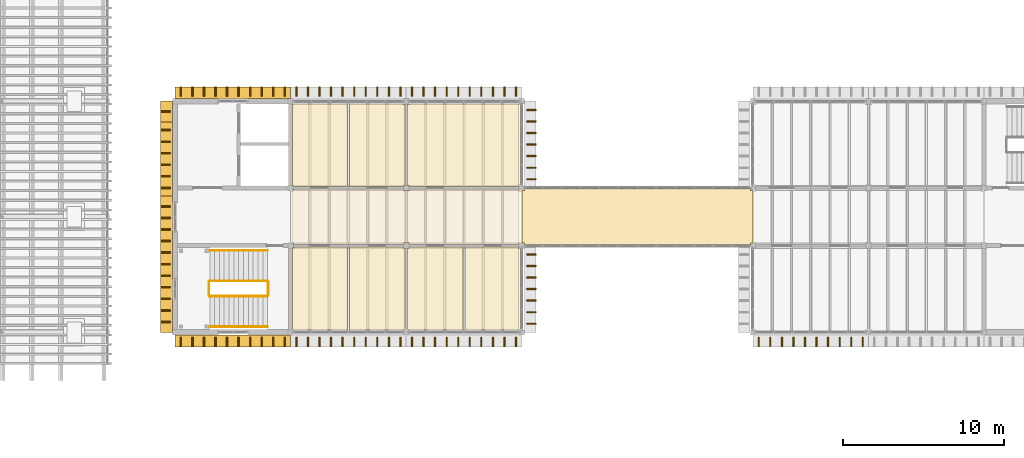
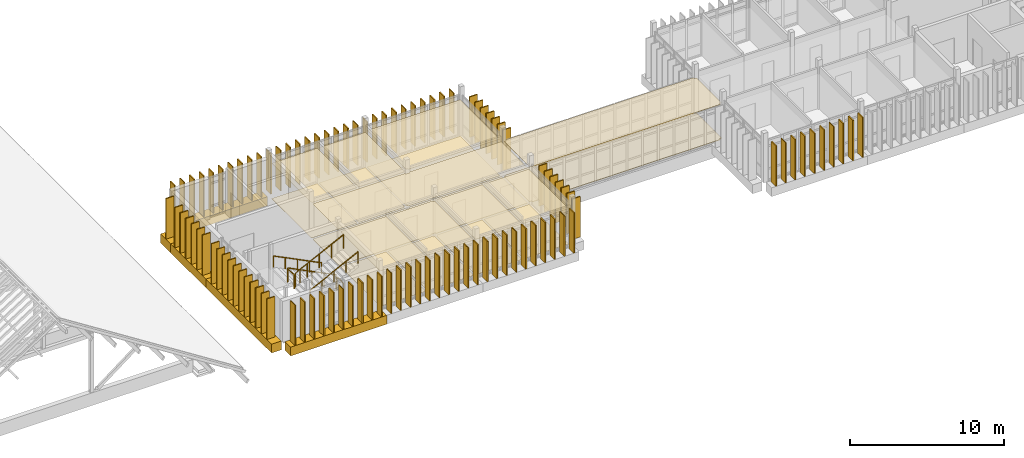
# One storey, part 64 of 71: 125 coverings, 6 railings.
"""IFC4 building model written with IfcOpenShell, lengths in metres."""

import ifcopenshell
import ifcopenshell.guid

model = None  # the IFC model being written
_history = None  # IfcOwnerHistory: only IFC2X3 demands one
_inside = {}  # id of a spatial element -> (the spatial element, [elements in it])
_under = {}  # id of a project, library or spatial element -> (it, [spatial elements below it])
_declared = {}  # id of a project -> (the project, [libraries it declares])
_typed = {}  # id of a type object -> (the type object, [elements of that type])
_made_of = {}  # id of a material, layer set ... -> (it, [elements and type objects made of it])


def new_model(schema):
    """Start an empty IFC model of exactly this schema.

    Asked for "IFC4X3", IfcOpenShell would pick the latest addendum, in which some entities
    have other attributes; the version numbers below select the first issue.
    IFC2X3 requires an IfcOwnerHistory on every rooted entity: one is made here for all.
    """
    global model, _history
    if schema == "IFC4X3":
        model = ifcopenshell.file(schema_version=(4, 3, 0, 0))
    else:
        model = ifcopenshell.file(schema=schema)
    _inside.clear()
    _under.clear()
    _declared.clear()
    _typed.clear()
    _made_of.clear()
    _history = None
    if model.schema == "IFC2X3":
        org = make("IfcOrganization", Name="unknown")
        user = make(
            "IfcPersonAndOrganization",
            ThePerson=make("IfcPerson", FamilyName="unknown"),
            TheOrganization=org,
        )
        app = make(
            "IfcApplication",
            ApplicationDeveloper=org,
            Version="unknown",
            ApplicationFullName="unknown",
            ApplicationIdentifier="unknown",
        )
        _history = make(
            "IfcOwnerHistory",
            OwningUser=user,
            OwningApplication=app,
            ChangeAction="ADDED",
            CreationDate=0,
        )
    return model


def make(cls, **values):
    """One entity of the class cls with the attributes given. An attribute that is None is left unset."""
    return model.create_entity(
        cls, **{name: value for name, value in values.items() if value is not None}
    )


def rooted(cls, **values):
    """An entity with a GlobalId (a new one), such as an element, a storey or a relation."""
    return make(cls, GlobalId=ifcopenshell.guid.new(), OwnerHistory=_history, **values)


def si_unit(unit_type, name, prefix=None):
    """IfcSIUnit, for example si_unit("LENGTHUNIT", "METRE", prefix="MILLI")."""
    return make("IfcSIUnit", UnitType=unit_type, Prefix=prefix, Name=name)


def assignment(units):
    """IfcUnitAssignment: the units of a project."""
    return None if units is None else make("IfcUnitAssignment", Units=units)


def point(xyz):
    """IfcCartesianPoint."""
    return None if xyz is None else make("IfcCartesianPoint", Coordinates=xyz)


def direction(xyz):
    """IfcDirection."""
    return None if xyz is None else make("IfcDirection", DirectionRatios=xyz)


def frame(location, z_axis=None, x_axis=None):
    """IfcAxis2Placement3D, a coordinate frame: its origin and axes. An axis left out is left unset."""
    return make(
        "IfcAxis2Placement3D",
        Location=point(location),
        Axis=direction(z_axis),
        RefDirection=direction(x_axis),
    )


def frame_2d(location, x_axis=None):
    """IfcAxis2Placement2D, a coordinate frame in the plane: its origin and x axis."""
    return make(
        "IfcAxis2Placement2D", Location=point(location), RefDirection=direction(x_axis)
    )


def origin():
    """The frame at (0, 0, 0) with its axes left unset."""
    return frame((0.0, 0.0, 0.0))


def origin_2d():
    """The frame at (0, 0) in the plane with its x axis left unset."""
    return frame_2d((0.0, 0.0))


def place(relative_to, where):
    """IfcLocalPlacement: puts the frame where relative to a parent placement (None: the world)."""
    return make(
        "IfcLocalPlacement", PlacementRelTo=relative_to, RelativePlacement=where
    )


def context(
    kind, dimensions, precision=None, world=None, true_north=None, identifier=None
):
    """IfcGeometricRepresentationContext, for example the 3D "Model" context."""
    return make(
        "IfcGeometricRepresentationContext",
        ContextIdentifier=identifier,
        ContextType=kind,
        CoordinateSpaceDimension=dimensions,
        Precision=precision,
        WorldCoordinateSystem=world,
        TrueNorth=true_north,
    )


def subcontext(parent, identifier, kind, view, scale=None):
    """IfcGeometricRepresentationSubContext, for example "Body" below "Model"."""
    return make(
        "IfcGeometricRepresentationSubContext",
        ContextIdentifier=identifier,
        ContextType=kind,
        ParentContext=parent,
        TargetScale=scale,
        TargetView=view,
    )


def project(units=None, contexts=None):
    """IfcProject with its units and contexts."""
    return rooted(
        "IfcProject",
        Name="project",
        RepresentationContexts=contexts,
        UnitsInContext=assignment(units),
    )


def spatial(cls, under=None, at=None, **own):
    """A site, building, storey or space (cls), placed at a placement, below another one or the project."""
    s = rooted(cls, ObjectPlacement=at, **own)
    if under is not None:
        _under.setdefault(under.id(), (under, []))[1].append(s)
    return s


def polyline(points):
    """IfcPolyline through the points."""
    return make("IfcPolyline", Points=[point(p) for p in points])


def profile(cls, at=None, kind="AREA", **sizes):
    """A parametric profile (cls). Its sizes go by their IFC names, for example OverallWidth=200.0."""
    return make(cls, ProfileType=kind, Position=at, **sizes)


def rectangle(**sizes):
    """IfcRectangleProfileDef."""
    return profile("IfcRectangleProfileDef", **sizes)


def circle(**sizes):
    """IfcCircleProfileDef."""
    return profile("IfcCircleProfileDef", **sizes)


def outline(outer, holes=None, kind="AREA"):
    """IfcArbitraryClosedProfileDef: a profile drawn as a closed curve; with holes, ...WithVoids."""
    if holes is None:
        return make("IfcArbitraryClosedProfileDef", ProfileType=kind, OuterCurve=outer)
    return make(
        "IfcArbitraryProfileDefWithVoids",
        ProfileType=kind,
        OuterCurve=outer,
        InnerCurves=holes,
    )


def extrude(swept, where, along, depth):
    """IfcExtrudedAreaSolid: the profile swept, set in the frame where, extruded along a direction by depth."""
    return make(
        "IfcExtrudedAreaSolid",
        SweptArea=swept,
        Position=where,
        ExtrudedDirection=direction(along),
        Depth=depth,
    )


def shape(context_of_items, identifier, shape_type, items):
    """IfcShapeRepresentation: the items that make up one representation, for example the "Body"."""
    return make(
        "IfcShapeRepresentation",
        ContextOfItems=context_of_items,
        RepresentationIdentifier=identifier,
        RepresentationType=shape_type,
        Items=items,
    )


def material(Name=None, Category=None):
    """IfcMaterial."""
    return make("IfcMaterial", Name=Name, Category=Category)


def layer(
    of_material, thickness, ventilated=None, Name=None, Category=None, Priority=None
):
    """IfcMaterialLayer: one layer of a wall or slab, of a material (None: an air gap)."""
    return make(
        "IfcMaterialLayer",
        Material=of_material,
        LayerThickness=thickness,
        IsVentilated=ventilated,
        Name=Name,
        Category=Category,
        Priority=Priority,
    )


def layer_set(layers, Name=None):
    """IfcMaterialLayerSet."""
    return make("IfcMaterialLayerSet", MaterialLayers=layers, LayerSetName=Name)


def made_of(thing, what):
    """Note that an element or type object is made of a material, layer set ...; save() writes the relation."""
    if what is not None:
        _made_of.setdefault(what.id(), (what, []))[1].append(thing)
    return thing


def type_object(cls, material=None, **own):
    """A type object (cls), such as IfcWallType, which elements share."""
    return made_of(rooted(cls, **own), material)


def element(
    cls,
    number,
    at=None,
    inside=None,
    cuts=None,
    type_object=None,
    material=None,
    context=None,
    identifier="Body",
    shape_type=None,
    held_by="IfcProductDefinitionShape",
    body=None,
    shapes=None,
    **own,
):
    """One element of the class cls, such as IfcWall. Its Tag is "e" and its number.

    at: its placement. inside: the storey or other place that contains it. cuts: it is an
    opening in that element (IfcRelVoidsElement). A single representation is given by context,
    identifier, shape_type and body (its items); several are given by shapes. held_by: the class
    of the entity that holds the representations. save() writes the other relations.
    """
    e = rooted(cls, Tag="e%d" % number, ObjectPlacement=at, **own)
    if body is not None:
        shapes = [shape(context, identifier, shape_type, body)]
    if shapes is not None:
        e.Representation = make(held_by, Representations=shapes)
    if inside is not None:
        _inside.setdefault(inside.id(), (inside, []))[1].append(e)
    if cuts is not None:
        rooted(
            "IfcRelVoidsElement", RelatingBuildingElement=cuts, RelatedOpeningElement=e
        )
    if type_object is not None:
        _typed.setdefault(type_object.id(), (type_object, []))[1].append(e)
    return made_of(e, material)


def aggregate(whole, parts):
    """IfcRelAggregates: a whole, such as a stair, and the parts it consists of."""
    return rooted("IfcRelAggregates", RelatingObject=whole, RelatedObjects=parts)


def save(model, path):
    """Write the relations noted so far, then the file.

    IfcRelAggregates (storeys below a building ...), IfcRelContainedInSpatialStructure (elements
    in a storey), IfcRelDefinesByType, IfcRelAssociatesMaterial and IfcRelDeclares: one each for
    every whole, place, type object, material and project.
    """
    for whole, parts in _under.values():
        aggregate(whole, parts)
    for where, things in _inside.values():
        rooted(
            "IfcRelContainedInSpatialStructure",
            RelatedElements=things,
            RelatingStructure=where,
        )
    for kind, things in _typed.values():
        rooted("IfcRelDefinesByType", RelatedObjects=things, RelatingType=kind)
    for what, things in _made_of.values():
        rooted("IfcRelAssociatesMaterial", RelatedObjects=things, RelatingMaterial=what)
    for by, libraries in _declared.values():
        rooted("IfcRelDeclares", RelatingContext=by, RelatedDefinitions=libraries)
    model.write(path)


model = new_model("IFC4")

# Units and contexts
model_context = context("Model", 3, precision=1e-05, world=origin(), true_north=direction((0.0, 1.0)))
body_context = subcontext(model_context, "Body", "Model", "MODEL_VIEW")
ifc_project = project(units=[si_unit("LENGTHUNIT", "METRE"), si_unit("AREAUNIT", "SQUARE_METRE"), si_unit("VOLUMEUNIT", "CUBIC_METRE"), si_unit("PLANEANGLEUNIT", "RADIAN"), si_unit("MASSUNIT", "GRAM", prefix="KILO")], contexts=[model_context])

# Site, building, storey
site_placement = place(None, origin())
site = spatial("IfcSite", under=ifc_project, at=site_placement, CompositionType="ELEMENT")
building_placement = place(site_placement, origin())
building = spatial("IfcBuilding", under=site, at=building_placement, Name="Mazhai Court Health Centre", CompositionType="ELEMENT")
storey_placement = place(building_placement, frame((0.0, 0.0, 10.199951171875)))
storey = spatial("IfcBuildingStorey", under=building, at=storey_placement, Name="L02", CompositionType="ELEMENT", Elevation=10.199951171875)

# Coverings
ifc_material_1 = material(Name="Gypsum plasterboard ceiling")
ifc_layer_1 = layer(ifc_material_1, 0.02001953125)
ifc_layer_set_1 = layer_set([ifc_layer_1], Name="CEILING GYPSUM BOARD 20")
covering_type_1 = type_object("IfcCoveringType", Name="CEILING GYPSUM BOARD 20", PredefinedType="CEILING", material=ifc_layer_set_1)
covering_1_placement = place(storey_placement, frame((0.0, 0.0, 2.800048828125)))
element("IfcCovering", 1, at=covering_1_placement, inside=storey, type_object=covering_type_1, Name="ceil-V4-L02-A0-cardiology-clinic", PredefinedType="CEILING", context=body_context, shape_type="SweptSolid", body=[
    extrude(outline(polyline([(78.360107421875, 18.72509765625), (78.360107421875, 18.639892578125), (78.324951171875, 18.639892578125), (78.324951171875, 13.56494140625), (81.737548828125, 13.56494140625), (81.737548828125, 18.72509765625), (78.360107421875, 18.72509765625)])), origin(), (0.0, 0.0, 1.0), 0.02001953125),
])
covering_2_placement = place(storey_placement, frame((0.0, 0.0, 2.800048828125)))
element("IfcCovering", 2, at=covering_2_placement, inside=storey, type_object=covering_type_1, Name="ceil-V4-L02-A0-diabetology-clinic", PredefinedType="CEILING", context=body_context, shape_type="SweptSolid", body=[
    extrude(outline(polyline([(85.33740234375, 18.639892578125), (85.239990234375, 18.639892578125), (85.239990234375, 18.72509765625), (81.862548828125, 18.72509765625), (81.862548828125, 13.56494140625), (85.33740234375, 13.56494140625), (85.33740234375, 18.639892578125)])), origin(), (0.0, 0.0, 1.0), 0.02001953125),
])
covering_3_placement = place(storey_placement, frame((0.0, 0.0, 2.800048828125)))
element("IfcCovering", 3, at=covering_3_placement, inside=storey, type_object=covering_type_1, Name="ceil-V4-L02-A0-ent-clinic", PredefinedType="CEILING", context=body_context, shape_type="SweptSolid", body=[
    extrude(outline(polyline([(85.56005859375, 18.72509765625), (85.56005859375, 18.639892578125), (85.46240234375, 18.639892578125), (85.46240234375, 13.56494140625), (88.9375, 13.56494140625), (88.9375, 18.72509765625), (85.56005859375, 18.72509765625)])), origin(), (0.0, 0.0, 1.0), 0.02001953125),
])
covering_4_placement = place(storey_placement, frame((0.0, 0.0, 2.800048828125)))
element("IfcCovering", 4, at=covering_4_placement, inside=storey, type_object=covering_type_1, Name="ceil-V4-L02-A0-audiology-room", PredefinedType="CEILING", context=body_context, shape_type="SweptSolid", body=[
    extrude(outline(polyline([(92.43505859375, 13.56494140625), (92.43505859375, 18.72509765625), (89.0625, 18.72509765625), (89.0625, 13.56494140625), (92.43505859375, 13.56494140625)])), origin(), (0.0, 0.0, 1.0), 0.02001953125),
])
covering_5_placement = place(storey_placement, frame((0.0, 0.0, 2.800048828125)))
element("IfcCovering", 5, at=covering_5_placement, inside=storey, type_object=covering_type_1, Name="ceil-V4-L02-B0-gastroenterology-clinic", PredefinedType="CEILING", context=body_context, shape_type="SweptSolid", body=[
    extrude(outline(polyline([(78.324951171875, 22.56005859375), (78.360107421875, 22.56005859375), (78.360107421875, 22.47509765625), (81.737548828125, 22.47509765625), (81.737548828125, 27.635009765625), (78.324951171875, 27.635009765625), (78.324951171875, 22.56005859375)])), origin(), (0.0, 0.0, 1.0), 0.02001953125),
])
covering_6_placement = place(storey_placement, frame((0.0, 0.0, 2.800048828125)))
element("IfcCovering", 6, at=covering_6_placement, inside=storey, type_object=covering_type_1, Name="ceil-V4-L02-B0-minor-procedure-room", PredefinedType="CEILING", context=body_context, shape_type="SweptSolid", body=[
    extrude(outline(polyline([(85.239990234375, 22.47509765625), (85.239990234375, 22.56005859375), (85.33740234375, 22.56005859375), (85.33740234375, 27.635009765625), (81.862548828125, 27.635009765625), (81.862548828125, 22.47509765625), (85.239990234375, 22.47509765625)])), origin(), (0.0, 0.0, 1.0), 0.02001953125),
])
covering_7_placement = place(storey_placement, frame((0.0, 0.0, 2.900146484375)))
element("IfcCovering", 7, at=covering_7_placement, inside=storey, type_object=covering_type_1, Name="ceil-V4-L02-B0-specialist-nurse-base", PredefinedType="CEILING", context=body_context, shape_type="SweptSolid", body=[
    extrude(outline(polyline([(85.46240234375, 22.56005859375), (85.56005859375, 22.56005859375), (85.56005859375, 22.47509765625), (92.43505859375, 22.47509765625), (92.43505859375, 27.635009765625), (85.46240234375, 27.635009765625), (85.46240234375, 22.56005859375)])), origin(), (0.0, 0.0, 1.0), 0.02001953125),
])
ifc_material_2 = material(Name="Mineral fibre ceiling tile")
ifc_layer_2 = layer(ifc_material_2, 0.014892578125)
ifc_layer_set_2 = layer_set([ifc_layer_2], Name="CEILING MINERAL FIBRE TILE 15")
covering_type_2 = type_object("IfcCoveringType", Name="CEILING MINERAL FIBRE TILE 15", PredefinedType="CEILING", material=ifc_layer_set_2)
covering_8_placement = place(storey_placement, frame((0.0, 0.0, 2.800048828125)))
element("IfcCovering", 8, at=covering_8_placement, inside=storey, type_object=covering_type_2, Name="ceil-V4-L02-corridor-0", PredefinedType="CEILING", context=body_context, shape_type="SweptSolid", body=[
    extrude(outline(polyline([(92.43505859375, 22.324951171875), (85.56005859375, 22.324951171875), (85.56005859375, 22.239990234375), (85.239990234375, 22.239990234375), (85.239990234375, 22.324951171875), (78.360107421875, 22.324951171875), (78.360107421875, 22.239990234375), (78.324951171875, 22.239990234375), (78.324951171875, 18.9599609375), (78.360107421875, 18.9599609375), (78.360107421875, 18.875), (85.239990234375, 18.875), (85.239990234375, 18.9599609375), (85.56005859375, 18.9599609375), (85.56005859375, 18.875), (92.43505859375, 18.875), (92.43505859375, 22.324951171875)])), origin(), (0.0, 0.0, 1.0), 0.014892578125),
])
covering_9_placement = place(storey_placement, frame((0.0, 0.0, 2.800048828125)))
element("IfcCovering", 9, at=covering_9_placement, inside=storey, type_object=covering_type_2, Name="ceil-BR-LC2", PredefinedType="CEILING", context=body_context, shape_type="SweptSolid", body=[
    extrude(outline(polyline([(107.0, 18.9599609375), (106.840087890625, 18.9599609375), (106.840087890625, 18.85009765625), (92.760009765625, 18.85009765625), (92.760009765625, 18.9599609375), (92.60009765625, 18.9599609375), (92.60009765625, 22.239990234375), (92.760009765625, 22.239990234375), (92.760009765625, 22.35009765625), (106.840087890625, 22.35009765625), (106.840087890625, 22.239990234375), (107.0, 22.239990234375), (107.0, 18.9599609375)])), origin(), (0.0, 0.0, 1.0), 0.014892578125),
])
ifc_material_3 = material(Name="Glulam GL24h", Category="wood")
covering_type_3 = type_object("IfcCoveringType", Name="FIN RAIL CLADDING 735x700", PredefinedType="CLADDING", material=ifc_material_3)
for number, where, z_axis, x_axis, name in (
    (10, (74.60009765625, 12.866943359375, -0.69970703125), (0.0, 0.0, 1.0), (1.0, 0.0, 0.0), "FR-V4-A0-L02"),
    (11, (74.60009765625, 28.33203125, -0.69970703125), (0.0, 0.0, 1.0), (1.0, 0.0, 0.0), "FR-V4-B0-L02"),
):
    element("IfcCovering", number, at=place(storey_placement, frame(where, z_axis=z_axis, x_axis=x_axis)), inside=storey, type_object=covering_type_3, Name=name, PredefinedType="CLADDING", context=body_context, shape_type="SweptSolid", body=[
        extrude(rectangle(XDim=7.199951171875, YDim=0.735107421875, at=origin_2d()), origin(), (0.0, 0.0, 1.0), 0.699951171875),
    ])
covering_10_placement = place(storey_placement, frame((70.468017578125, 17.64990234375, -0.69970703125), z_axis=(0.0, 0.0, 1.0), x_axis=(1.0, 0.0, 0.0)))
element("IfcCovering", 12, at=covering_10_placement, inside=storey, type_object=covering_type_3, Name="FR-V4-S0-L02", PredefinedType="CLADDING", context=body_context, shape_type="SweptSolid", body=[
    extrude(rectangle(XDim=0.735107421875, YDim=8.5, at=origin_2d()), origin(), (0.0, 0.0, 1.0), 0.699951171875),
])
covering_11_placement = place(storey_placement, frame((70.468017578125, 27.14990234375, -0.69970703125), z_axis=(0.0, 0.0, 1.0), x_axis=(1.0, 0.0, 0.0)))
element("IfcCovering", 13, at=covering_11_placement, inside=storey, type_object=covering_type_3, Name="FR-V4-S1-L02", PredefinedType="CLADDING", context=body_context, shape_type="SweptSolid", body=[
    extrude(rectangle(XDim=0.735107421875, YDim=1.300048828125, at=origin_2d()), origin(), (0.0, 0.0, 1.0), 0.699951171875),
])
covering_12_placement = place(storey_placement, frame((70.468017578125, 24.199951171875, -0.69970703125), z_axis=(0.0, 0.0, 1.0), x_axis=(1.0, 0.0, 0.0)))
element("IfcCovering", 14, at=covering_12_placement, inside=storey, type_object=covering_type_3, Name="FR-V4-S2-L02", PredefinedType="CLADDING", context=body_context, shape_type="SweptSolid", body=[
    extrude(rectangle(XDim=0.735107421875, YDim=4.60009765625, at=origin_2d()), origin(), (0.0, 0.0, 1.0), 0.699951171875),
])
ifc_material_4 = material(Name="Teak timber", Category="wood")
covering_type_4 = type_object("IfcCoveringType", Name="FIN TIMBER 80x600", PredefinedType="CLADDING", material=ifc_material_4)
for number, where, z_axis, x_axis, name in (
    (15, (71.360107421875, 12.800048828125, 0.0), (0.0, 0.0, 1.0), (1.0, 0.0, 0.0), "FN-V4-A0-L02-00"),
    (16, (72.080078125, 12.800048828125, 0.0), (0.0, 0.0, 1.0), (1.0, 0.0, 0.0), "FN-V4-A0-L02-01"),
    (17, (72.800048828125, 12.800048828125, 0.0), (0.0, 0.0, 1.0), (1.0, 0.0, 0.0), "FN-V4-A0-L02-02"),
    (18, (73.52001953125, 12.800048828125, 0.0), (0.0, 0.0, 1.0), (1.0, 0.0, 0.0), "FN-V4-A0-L02-03"),
    (19, (74.239990234375, 12.800048828125, 0.0), (0.0, 0.0, 1.0), (1.0, 0.0, 0.0), "FN-V4-A0-L02-04"),
    (20, (74.9599609375, 12.800048828125, 0.0), (0.0, 0.0, 1.0), (1.0, 0.0, 0.0), "FN-V4-A0-L02-05"),
    (21, (75.679931640625, 12.800048828125, 0.0), (0.0, 0.0, 1.0), (1.0, 0.0, 0.0), "FN-V4-A0-L02-06"),
    (22, (76.39990234375, 12.800048828125, 0.0), (0.0, 0.0, 1.0), (1.0, 0.0, 0.0), "FN-V4-A0-L02-07"),
    (23, (77.1201171875, 12.800048828125, 0.0), (0.0, 0.0, 1.0), (1.0, 0.0, 0.0), "FN-V4-A0-L02-08"),
    (24, (77.840087890625, 12.800048828125, 0.0), (0.0, 0.0, 1.0), (1.0, 0.0, 0.0), "FN-V4-A0-L02-09"),
    (25, (78.56005859375, 12.800048828125, 0.0), (0.0, 0.0, 1.0), (1.0, 0.0, 0.0), "FN-V4-A1-L02-00"),
    (26, (79.280029296875, 12.800048828125, 0.0), (0.0, 0.0, 1.0), (1.0, 0.0, 0.0), "FN-V4-A1-L02-01"),
    (27, (80.0, 12.800048828125, 0.0), (0.0, 0.0, 1.0), (1.0, 0.0, 0.0), "FN-V4-A1-L02-02"),
    (28, (80.719970703125, 12.800048828125, 0.0), (0.0, 0.0, 1.0), (1.0, 0.0, 0.0), "FN-V4-A1-L02-03"),
    (29, (81.43994140625, 12.800048828125, 0.0), (0.0, 0.0, 1.0), (1.0, 0.0, 0.0), "FN-V4-A1-L02-04"),
    (30, (82.159912109375, 12.800048828125, 0.0), (0.0, 0.0, 1.0), (1.0, 0.0, 0.0), "FN-V4-A1-L02-05"),
    (31, (82.8798828125, 12.800048828125, 0.0), (0.0, 0.0, 1.0), (1.0, 0.0, 0.0), "FN-V4-A1-L02-06"),
    (32, (83.60009765625, 12.800048828125, 0.0), (0.0, 0.0, 1.0), (1.0, 0.0, 0.0), "FN-V4-A1-L02-07"),
    (33, (84.320068359375, 12.800048828125, 0.0), (0.0, 0.0, 1.0), (1.0, 0.0, 0.0), "FN-V4-A1-L02-08"),
    (34, (85.0400390625, 12.800048828125, 0.0), (0.0, 0.0, 1.0), (1.0, 0.0, 0.0), "FN-V4-A1-L02-09"),
    (35, (85.760009765625, 12.800048828125, 0.0), (0.0, 0.0, 1.0), (1.0, 0.0, 0.0), "FN-V4-A2-L02-00"),
    (36, (86.47998046875, 12.800048828125, 0.0), (0.0, 0.0, 1.0), (1.0, 0.0, 0.0), "FN-V4-A2-L02-01"),
    (37, (87.199951171875, 12.800048828125, 0.0), (0.0, 0.0, 1.0), (1.0, 0.0, 0.0), "FN-V4-A2-L02-02"),
    (38, (87.919921875, 12.800048828125, 0.0), (0.0, 0.0, 1.0), (1.0, 0.0, 0.0), "FN-V4-A2-L02-03"),
    (39, (88.639892578125, 12.800048828125, 0.0), (0.0, 0.0, 1.0), (1.0, 0.0, 0.0), "FN-V4-A2-L02-04"),
    (40, (89.360107421875, 12.800048828125, 0.0), (0.0, 0.0, 1.0), (1.0, 0.0, 0.0), "FN-V4-A2-L02-05"),
    (41, (90.080078125, 12.800048828125, 0.0), (0.0, 0.0, 1.0), (1.0, 0.0, 0.0), "FN-V4-A2-L02-06"),
    (42, (90.800048828125, 12.800048828125, 0.0), (0.0, 0.0, 1.0), (1.0, 0.0, 0.0), "FN-V4-A2-L02-07"),
    (43, (91.52001953125, 12.800048828125, 0.0), (0.0, 0.0, 1.0), (1.0, 0.0, 0.0), "FN-V4-A2-L02-08"),
    (44, (92.239990234375, 12.800048828125, 0.0), (0.0, 0.0, 1.0), (1.0, 0.0, 0.0), "FN-V4-A2-L02-09"),
    (45, (107.360107421875, 12.800048828125, 0.0), (0.0, 0.0, 1.0), (1.0, 0.0, 0.0), "FN-V4-A3-L02-00"),
    (46, (108.080078125, 12.800048828125, 0.0), (0.0, 0.0, 1.0), (1.0, 0.0, 0.0), "FN-V4-A3-L02-01"),
    (47, (108.800048828125, 12.800048828125, 0.0), (0.0, 0.0, 1.0), (1.0, 0.0, 0.0), "FN-V4-A3-L02-02"),
    (48, (109.52001953125, 12.800048828125, 0.0), (0.0, 0.0, 1.0), (1.0, 0.0, 0.0), "FN-V4-A3-L02-03"),
    (49, (110.239990234375, 12.800048828125, 0.0), (0.0, 0.0, 1.0), (1.0, 0.0, 0.0), "FN-V4-A3-L02-04"),
    (50, (110.9599609375, 12.800048828125, 0.0), (0.0, 0.0, 1.0), (1.0, 0.0, 0.0), "FN-V4-A3-L02-05"),
    (51, (111.679931640625, 12.800048828125, 0.0), (0.0, 0.0, 1.0), (1.0, 0.0, 0.0), "FN-V4-A3-L02-06"),
    (52, (112.39990234375, 12.800048828125, 0.0), (0.0, 0.0, 1.0), (1.0, 0.0, 0.0), "FN-V4-A3-L02-07"),
    (53, (113.1201171875, 12.800048828125, 0.0), (0.0, 0.0, 1.0), (1.0, 0.0, 0.0), "FN-V4-A3-L02-08"),
    (54, (113.840087890625, 12.800048828125, 0.0), (0.0, 0.0, 1.0), (1.0, 0.0, 0.0), "FN-V4-A3-L02-09"),
    (55, (71.360107421875, 28.39990234375, 0.0), (0.0, 0.0, 1.0), (1.0, 0.0, 0.0), "FN-V4-B0-L02-00"),
    (56, (72.080078125, 28.39990234375, 0.0), (0.0, 0.0, 1.0), (1.0, 0.0, 0.0), "FN-V4-B0-L02-01"),
    (57, (72.800048828125, 28.39990234375, 0.0), (0.0, 0.0, 1.0), (1.0, 0.0, 0.0), "FN-V4-B0-L02-02"),
    (58, (73.52001953125, 28.39990234375, 0.0), (0.0, 0.0, 1.0), (1.0, 0.0, 0.0), "FN-V4-B0-L02-03"),
    (59, (74.239990234375, 28.39990234375, 0.0), (0.0, 0.0, 1.0), (1.0, 0.0, 0.0), "FN-V4-B0-L02-04"),
    (60, (74.9599609375, 28.39990234375, 0.0), (0.0, 0.0, 1.0), (1.0, 0.0, 0.0), "FN-V4-B0-L02-05"),
    (61, (75.679931640625, 28.39990234375, 0.0), (0.0, 0.0, 1.0), (1.0, 0.0, 0.0), "FN-V4-B0-L02-06"),
    (62, (76.39990234375, 28.39990234375, 0.0), (0.0, 0.0, 1.0), (1.0, 0.0, 0.0), "FN-V4-B0-L02-07"),
    (63, (77.1201171875, 28.39990234375, 0.0), (0.0, 0.0, 1.0), (1.0, 0.0, 0.0), "FN-V4-B0-L02-08"),
    (64, (77.840087890625, 28.39990234375, 0.0), (0.0, 0.0, 1.0), (1.0, 0.0, 0.0), "FN-V4-B0-L02-09"),
    (65, (78.56005859375, 28.39990234375, 0.0), (0.0, 0.0, 1.0), (1.0, 0.0, 0.0), "FN-V4-B1-L02-00"),
    (66, (79.280029296875, 28.39990234375, 0.0), (0.0, 0.0, 1.0), (1.0, 0.0, 0.0), "FN-V4-B1-L02-01"),
    (67, (80.0, 28.39990234375, 0.0), (0.0, 0.0, 1.0), (1.0, 0.0, 0.0), "FN-V4-B1-L02-02"),
    (68, (80.719970703125, 28.39990234375, 0.0), (0.0, 0.0, 1.0), (1.0, 0.0, 0.0), "FN-V4-B1-L02-03"),
    (69, (81.43994140625, 28.39990234375, 0.0), (0.0, 0.0, 1.0), (1.0, 0.0, 0.0), "FN-V4-B1-L02-04"),
    (70, (82.159912109375, 28.39990234375, 0.0), (0.0, 0.0, 1.0), (1.0, 0.0, 0.0), "FN-V4-B1-L02-05"),
    (71, (82.8798828125, 28.39990234375, 0.0), (0.0, 0.0, 1.0), (1.0, 0.0, 0.0), "FN-V4-B1-L02-06"),
    (72, (83.60009765625, 28.39990234375, 0.0), (0.0, 0.0, 1.0), (1.0, 0.0, 0.0), "FN-V4-B1-L02-07"),
    (73, (84.320068359375, 28.39990234375, 0.0), (0.0, 0.0, 1.0), (1.0, 0.0, 0.0), "FN-V4-B1-L02-08"),
    (74, (85.0400390625, 28.39990234375, 0.0), (0.0, 0.0, 1.0), (1.0, 0.0, 0.0), "FN-V4-B1-L02-09"),
    (75, (85.760009765625, 28.39990234375, 0.0), (0.0, 0.0, 1.0), (1.0, 0.0, 0.0), "FN-V4-B2-L02-00"),
    (76, (86.47998046875, 28.39990234375, 0.0), (0.0, 0.0, 1.0), (1.0, 0.0, 0.0), "FN-V4-B2-L02-01"),
    (77, (87.199951171875, 28.39990234375, 0.0), (0.0, 0.0, 1.0), (1.0, 0.0, 0.0), "FN-V4-B2-L02-02"),
    (78, (87.919921875, 28.39990234375, 0.0), (0.0, 0.0, 1.0), (1.0, 0.0, 0.0), "FN-V4-B2-L02-03"),
    (79, (88.639892578125, 28.39990234375, 0.0), (0.0, 0.0, 1.0), (1.0, 0.0, 0.0), "FN-V4-B2-L02-04"),
    (80, (89.360107421875, 28.39990234375, 0.0), (0.0, 0.0, 1.0), (1.0, 0.0, 0.0), "FN-V4-B2-L02-05"),
    (81, (90.080078125, 28.39990234375, 0.0), (0.0, 0.0, 1.0), (1.0, 0.0, 0.0), "FN-V4-B2-L02-06"),
    (82, (90.800048828125, 28.39990234375, 0.0), (0.0, 0.0, 1.0), (1.0, 0.0, 0.0), "FN-V4-B2-L02-07"),
    (83, (91.52001953125, 28.39990234375, 0.0), (0.0, 0.0, 1.0), (1.0, 0.0, 0.0), "FN-V4-B2-L02-08"),
    (84, (92.239990234375, 28.39990234375, 0.0), (0.0, 0.0, 1.0), (1.0, 0.0, 0.0), "FN-V4-B2-L02-09"),
    (85, (70.39990234375, 14.050048828125, 0.0), (0.0, 0.0, 1.0), (0.0, 1.0, 0.0), "FN-V4-S0-L02-00"),
    (86, (70.39990234375, 14.77001953125, 0.0), (0.0, 0.0, 1.0), (0.0, 1.0, 0.0), "FN-V4-S0-L02-01"),
    (87, (70.39990234375, 15.489990234375, 0.0), (0.0, 0.0, 1.0), (0.0, 1.0, 0.0), "FN-V4-S0-L02-02"),
    (88, (70.39990234375, 16.2099609375, 0.0), (0.0, 0.0, 1.0), (0.0, 1.0, 0.0), "FN-V4-S0-L02-03"),
    (89, (70.39990234375, 16.929931640625, 0.0), (0.0, 0.0, 1.0), (0.0, 1.0, 0.0), "FN-V4-S0-L02-04"),
    (90, (70.39990234375, 17.64990234375, 0.0), (0.0, 0.0, 1.0), (0.0, 1.0, 0.0), "FN-V4-S0-L02-05"),
    (91, (70.39990234375, 18.3701171875, 0.0), (0.0, 0.0, 1.0), (0.0, 1.0, 0.0), "FN-V4-S0-L02-06"),
    (92, (70.39990234375, 19.090087890625, 0.0), (0.0, 0.0, 1.0), (0.0, 1.0, 0.0), "FN-V4-S0-L02-07"),
    (93, (70.39990234375, 19.81005859375, 0.0), (0.0, 0.0, 1.0), (0.0, 1.0, 0.0), "FN-V4-S0-L02-08"),
    (94, (70.39990234375, 20.530029296875, 0.0), (0.0, 0.0, 1.0), (0.0, 1.0, 0.0), "FN-V4-S0-L02-09"),
    (95, (70.39990234375, 21.25, 0.0), (0.0, 0.0, 1.0), (0.0, 1.0, 0.0), "FN-V4-S0-L02-10"),
    (96, (70.39990234375, 27.14990234375, 0.0), (0.0, 0.0, 1.0), (0.0, 1.0, 0.0), "FN-V4-S1-L02-00"),
    (97, (70.39990234375, 22.39990234375, 0.0), (0.0, 0.0, 1.0), (0.0, 1.0, 0.0), "FN-V4-S2-L02-00"),
    (98, (70.39990234375, 23.1201171875, 0.0), (0.0, 0.0, 1.0), (0.0, 1.0, 0.0), "FN-V4-S2-L02-01"),
    (99, (70.39990234375, 23.840087890625, 0.0), (0.0, 0.0, 1.0), (0.0, 1.0, 0.0), "FN-V4-S2-L02-02"),
    (100, (70.39990234375, 24.56005859375, 0.0), (0.0, 0.0, 1.0), (0.0, 1.0, 0.0), "FN-V4-S2-L02-03"),
    (101, (70.39990234375, 25.280029296875, 0.0), (0.0, 0.0, 1.0), (0.0, 1.0, 0.0), "FN-V4-S2-L02-04"),
    (102, (70.39990234375, 26.0, 0.0), (0.0, 0.0, 1.0), (0.0, 1.0, 0.0), "FN-V4-S2-L02-05"),
    (103, (93.199951171875, 13.93994140625, 0.0), (0.0, 0.0, 1.0), (0.0, 1.0, 0.0), "FN-V4-CE2-0-L02-00"),
    (104, (93.199951171875, 14.659912109375, 0.0), (0.0, 0.0, 1.0), (0.0, 1.0, 0.0), "FN-V4-CE2-0-L02-01"),
    (105, (93.199951171875, 15.3798828125, 0.0), (0.0, 0.0, 1.0), (0.0, 1.0, 0.0), "FN-V4-CE2-0-L02-02"),
    (106, (93.199951171875, 16.10009765625, 0.0), (0.0, 0.0, 1.0), (0.0, 1.0, 0.0), "FN-V4-CE2-0-L02-03"),
    (107, (93.199951171875, 16.820068359375, 0.0), (0.0, 0.0, 1.0), (0.0, 1.0, 0.0), "FN-V4-CE2-0-L02-04"),
    (108, (93.199951171875, 17.5400390625, 0.0), (0.0, 0.0, 1.0), (0.0, 1.0, 0.0), "FN-V4-CE2-0-L02-05"),
    (109, (93.199951171875, 18.260009765625, 0.0), (0.0, 0.0, 1.0), (0.0, 1.0, 0.0), "FN-V4-CE2-0-L02-06"),
    (110, (93.199951171875, 22.93994140625, 0.0), (0.0, 0.0, 1.0), (0.0, 1.0, 0.0), "FN-V4-CE2-1-L02-00"),
    (111, (93.199951171875, 23.659912109375, 0.0), (0.0, 0.0, 1.0), (0.0, 1.0, 0.0), "FN-V4-CE2-1-L02-01"),
    (112, (93.199951171875, 24.3798828125, 0.0), (0.0, 0.0, 1.0), (0.0, 1.0, 0.0), "FN-V4-CE2-1-L02-02"),
    (113, (93.199951171875, 25.10009765625, 0.0), (0.0, 0.0, 1.0), (0.0, 1.0, 0.0), "FN-V4-CE2-1-L02-03"),
    (114, (93.199951171875, 25.820068359375, 0.0), (0.0, 0.0, 1.0), (0.0, 1.0, 0.0), "FN-V4-CE2-1-L02-04"),
    (115, (93.199951171875, 26.5400390625, 0.0), (0.0, 0.0, 1.0), (0.0, 1.0, 0.0), "FN-V4-CE2-1-L02-05"),
    (116, (93.199951171875, 27.260009765625, 0.0), (0.0, 0.0, 1.0), (0.0, 1.0, 0.0), "FN-V4-CE2-1-L02-06"),
):
    element("IfcCovering", number, at=place(storey_placement, frame(where, z_axis=z_axis, x_axis=x_axis)), inside=storey, type_object=covering_type_4, Name=name, PredefinedType="CLADDING", context=body_context, shape_type="SweptSolid", body=[
        extrude(rectangle(XDim=0.080078125, YDim=0.60009765625, at=origin_2d()), origin(), (0.0, 0.0, 1.0), 3.199951171875),
    ])
ifc_material_5 = material(Name="Heavy duty vinyl flooring")
ifc_layer_3 = layer(ifc_material_5, 0.02001953125)
ifc_layer_set_3 = layer_set([ifc_layer_3], Name="FLOOR FINISH HEAVY DUTY VINYL FLOORING 20")
covering_type_5 = type_object("IfcCoveringType", Name="FLOOR FINISH HEAVY DUTY VINYL FLOORING 20", PredefinedType="FLOORING", material=ifc_layer_set_3)
covering_13_placement = place(storey_placement, origin())
element("IfcCovering", 117, at=covering_13_placement, inside=storey, type_object=covering_type_5, Name="floor-V4-L02-A0-cardiology-clinic", PredefinedType="FLOORING", context=body_context, shape_type="SweptSolid", body=[
    extrude(outline(polyline([(78.360107421875, 18.72509765625), (78.360107421875, 18.639892578125), (78.324951171875, 18.639892578125), (78.324951171875, 13.56494140625), (81.737548828125, 13.56494140625), (81.737548828125, 18.72509765625), (78.360107421875, 18.72509765625)])), origin(), (0.0, 0.0, 1.0), 0.02001953125),
])
covering_14_placement = place(storey_placement, origin())
element("IfcCovering", 118, at=covering_14_placement, inside=storey, type_object=covering_type_5, Name="floor-V4-L02-A0-diabetology-clinic", PredefinedType="FLOORING", context=body_context, shape_type="SweptSolid", body=[
    extrude(outline(polyline([(85.33740234375, 18.639892578125), (85.239990234375, 18.639892578125), (85.239990234375, 18.72509765625), (81.862548828125, 18.72509765625), (81.862548828125, 13.56494140625), (85.33740234375, 13.56494140625), (85.33740234375, 18.639892578125)])), origin(), (0.0, 0.0, 1.0), 0.02001953125),
])
covering_15_placement = place(storey_placement, origin())
element("IfcCovering", 119, at=covering_15_placement, inside=storey, type_object=covering_type_5, Name="floor-V4-L02-A0-ent-clinic", PredefinedType="FLOORING", context=body_context, shape_type="SweptSolid", body=[
    extrude(outline(polyline([(85.56005859375, 18.72509765625), (85.56005859375, 18.639892578125), (85.46240234375, 18.639892578125), (85.46240234375, 13.56494140625), (88.9375, 13.56494140625), (88.9375, 18.72509765625), (85.56005859375, 18.72509765625)])), origin(), (0.0, 0.0, 1.0), 0.02001953125),
])
covering_16_placement = place(storey_placement, origin())
element("IfcCovering", 120, at=covering_16_placement, inside=storey, type_object=covering_type_5, Name="floor-V4-L02-A0-audiology-room", PredefinedType="FLOORING", context=body_context, shape_type="SweptSolid", body=[
    extrude(outline(polyline([(92.43505859375, 13.56494140625), (92.43505859375, 18.72509765625), (89.0625, 18.72509765625), (89.0625, 13.56494140625), (92.43505859375, 13.56494140625)])), origin(), (0.0, 0.0, 1.0), 0.02001953125),
])
covering_17_placement = place(storey_placement, origin())
element("IfcCovering", 121, at=covering_17_placement, inside=storey, type_object=covering_type_5, Name="floor-V4-L02-B0-gastroenterology-clinic", PredefinedType="FLOORING", context=body_context, shape_type="SweptSolid", body=[
    extrude(outline(polyline([(78.324951171875, 22.56005859375), (78.360107421875, 22.56005859375), (78.360107421875, 22.47509765625), (81.737548828125, 22.47509765625), (81.737548828125, 27.635009765625), (78.324951171875, 27.635009765625), (78.324951171875, 22.56005859375)])), origin(), (0.0, 0.0, 1.0), 0.02001953125),
])
covering_18_placement = place(storey_placement, origin())
element("IfcCovering", 122, at=covering_18_placement, inside=storey, type_object=covering_type_5, Name="floor-V4-L02-B0-minor-procedure-room", PredefinedType="FLOORING", context=body_context, shape_type="SweptSolid", body=[
    extrude(outline(polyline([(85.239990234375, 22.47509765625), (85.239990234375, 22.56005859375), (85.33740234375, 22.56005859375), (85.33740234375, 27.635009765625), (81.862548828125, 27.635009765625), (81.862548828125, 22.47509765625), (85.239990234375, 22.47509765625)])), origin(), (0.0, 0.0, 1.0), 0.02001953125),
])
ifc_material_6 = material(Name="Linoleum flooring")
ifc_layer_4 = layer(ifc_material_6, 0.02001953125)
ifc_layer_set_4 = layer_set([ifc_layer_4], Name="FLOOR FINISH LINOLEUM FLOORING 20")
covering_type_6 = type_object("IfcCoveringType", Name="FLOOR FINISH LINOLEUM FLOORING 20", PredefinedType="FLOORING", material=ifc_layer_set_4)
covering_19_placement = place(storey_placement, origin())
element("IfcCovering", 123, at=covering_19_placement, inside=storey, type_object=covering_type_6, Name="floor-V4-L02-B0-specialist-nurse-base", PredefinedType="FLOORING", context=body_context, shape_type="SweptSolid", body=[
    extrude(outline(polyline([(85.46240234375, 22.56005859375), (85.56005859375, 22.56005859375), (85.56005859375, 22.47509765625), (92.43505859375, 22.47509765625), (92.43505859375, 27.635009765625), (85.46240234375, 27.635009765625), (85.46240234375, 22.56005859375)])), origin(), (0.0, 0.0, 1.0), 0.02001953125),
])
ifc_material_7 = material(Name="Terrazzo flooring")
ifc_layer_5 = layer(ifc_material_7, 0.0400390625)
ifc_layer_set_5 = layer_set([ifc_layer_5], Name="FLOOR FINISH TERRAZZO FLOORING 40")
covering_type_7 = type_object("IfcCoveringType", Name="FLOOR FINISH TERRAZZO FLOORING 40", PredefinedType="FLOORING", material=ifc_layer_set_5)
covering_20_placement = place(storey_placement, origin())
element("IfcCovering", 124, at=covering_20_placement, inside=storey, type_object=covering_type_7, Name="floor-V4-L02-corridor-0", PredefinedType="FLOORING", context=body_context, shape_type="SweptSolid", body=[
    extrude(outline(polyline([(92.43505859375, 22.324951171875), (85.56005859375, 22.324951171875), (85.56005859375, 22.239990234375), (85.239990234375, 22.239990234375), (85.239990234375, 22.324951171875), (78.360107421875, 22.324951171875), (78.360107421875, 22.239990234375), (78.324951171875, 22.239990234375), (78.324951171875, 18.9599609375), (78.360107421875, 18.9599609375), (78.360107421875, 18.875), (85.239990234375, 18.875), (85.239990234375, 18.9599609375), (85.56005859375, 18.9599609375), (85.56005859375, 18.875), (92.43505859375, 18.875), (92.43505859375, 22.324951171875)])), origin(), (0.0, 0.0, 1.0), 0.0400390625),
])
covering_21_placement = place(storey_placement, origin())
element("IfcCovering", 125, at=covering_21_placement, inside=storey, type_object=covering_type_7, Name="floor-BR-LC2", PredefinedType="FLOORING", context=body_context, shape_type="SweptSolid", body=[
    extrude(outline(polyline([(107.0, 18.9599609375), (106.840087890625, 18.9599609375), (106.840087890625, 18.85009765625), (92.760009765625, 18.85009765625), (92.760009765625, 18.9599609375), (92.60009765625, 18.9599609375), (92.60009765625, 22.239990234375), (92.760009765625, 22.239990234375), (92.760009765625, 22.35009765625), (106.840087890625, 22.35009765625), (106.840087890625, 22.239990234375), (107.0, 22.239990234375), (107.0, 18.9599609375)])), origin(), (0.0, 0.0, 1.0), 0.0400390625),
])

# Railings
ifc_material_8 = material(Name="Steel IS 2062 E250", Category="steel")
railing_type_1 = type_object("IfcRailingType", Name="STAIR GUARD 1100", PredefinedType="GUARDRAIL", material=ifc_material_8)
railing_1_placement = place(storey_placement, frame((76.764892578125, 16.594970703125, 0.150146484375)))
element("IfcRailing", 126, at=railing_1_placement, inside=storey, type_object=railing_type_1, Name="L02 ST6 stair guard 1", PredefinedType="GUARDRAIL", context=body_context, shape_type="SweptSolid", body=[
    extrude(circle(Radius=0.02392578125, at=origin_2d()), frame((0.0, 0.0, 1.076171875), z_axis=(-0.894439322774, 0.0, 0.447189331129), x_axis=(0.0, -1.0, 0.0)), (0.0, 0.0, 1.0), 4.024658203125),
    extrude(circle(Radius=0.02099609375, at=origin_2d()), origin(), (0.0, 0.0, 1.0), 1.052001953125),
    extrude(circle(Radius=0.02099609375, at=origin_2d()), frame((-0.89990234375, 0.0, 0.449951171875)), (0.0, 0.0, 1.0), 1.052001953125),
    extrude(circle(Radius=0.02099609375, at=origin_2d()), frame((-1.7998046875, 0.0, 0.89990234375)), (0.0, 0.0, 1.0), 1.052001953125),
    extrude(circle(Radius=0.02099609375, at=origin_2d()), frame((-2.699951171875, 0.0, 1.349853515625)), (0.0, 0.0, 1.0), 1.052001953125),
    extrude(circle(Radius=0.02099609375, at=origin_2d()), frame((-3.599853515625, 0.0, 1.7998046875)), (0.0, 0.0, 1.0), 1.052001953125),
])
railing_2_placement = place(storey_placement, frame((73.114990234375, 16.544921875, 1.949951171875)))
element("IfcRailing", 127, at=railing_2_placement, inside=storey, type_object=railing_type_1, Name="L02 ST6 stair guard 2", PredefinedType="GUARDRAIL", context=body_context, shape_type="SweptSolid", body=[
    extrude(circle(Radius=0.02392578125, at=origin_2d()), frame((0.0, 0.0, 1.076171875), z_axis=(0.0, -1.0, 0.0), x_axis=(1.0, 0.0, 0.0)), (0.0, 0.0, 1.0), 0.849853515625),
    extrude(circle(Radius=0.02099609375, at=origin_2d()), origin(), (0.0, 0.0, 1.0), 1.052001953125),
    extrude(circle(Radius=0.02099609375, at=origin_2d()), frame((0.0, -0.849853515625, 0.0)), (0.0, 0.0, 1.0), 1.052001953125),
])
railing_3_placement = place(storey_placement, frame((73.1650390625, 15.64501953125, 2.10009765625)))
element("IfcRailing", 128, at=railing_3_placement, inside=storey, type_object=railing_type_1, Name="L02 ST6 stair guard 3", PredefinedType="GUARDRAIL", context=body_context, shape_type="SweptSolid", body=[
    extrude(circle(Radius=0.02392578125, at=origin_2d()), frame((0.0, 0.0, 1.076171875), z_axis=(0.894415058897, 0.0, 0.447237858884), x_axis=(0.0, 1.0, 0.0)), (0.0, 0.0, 1.0), 4.02490234375),
    extrude(circle(Radius=0.02099609375, at=origin_2d()), origin(), (0.0, 0.0, 1.0), 1.052001953125),
    extrude(circle(Radius=0.02099609375, at=origin_2d()), frame((0.89990234375, 0.0, 0.449951171875)), (0.0, 0.0, 1.0), 1.052001953125),
    extrude(circle(Radius=0.02099609375, at=origin_2d()), frame((1.7998046875, 0.0, 0.89990234375)), (0.0, 0.0, 1.0), 1.052001953125),
    extrude(circle(Radius=0.02099609375, at=origin_2d()), frame((2.699951171875, 0.0, 1.35009765625)), (0.0, 0.0, 1.0), 1.052001953125),
    extrude(circle(Radius=0.02099609375, at=origin_2d()), frame((3.599853515625, 0.0, 1.800048828125)), (0.0, 0.0, 1.0), 1.052001953125),
])
railing_4_placement = place(storey_placement, frame((76.81494140625, 16.544921875, 0.0)))
element("IfcRailing", 129, at=railing_4_placement, inside=storey, type_object=railing_type_1, Name="L02 ST6 stair guard 4", PredefinedType="GUARDRAIL", context=body_context, shape_type="SweptSolid", body=[
    extrude(circle(Radius=0.02392578125, at=origin_2d()), frame((0.0, 0.0, 1.076171875), z_axis=(0.0, -1.0, 0.0), x_axis=(1.0, 0.0, 0.0)), (0.0, 0.0, 1.0), 0.849853515625),
    extrude(circle(Radius=0.02099609375, at=origin_2d()), origin(), (0.0, 0.0, 1.0), 1.052001953125),
    extrude(circle(Radius=0.02099609375, at=origin_2d()), frame((0.0, -0.849853515625, 0.0)), (0.0, 0.0, 1.0), 1.052001953125),
])
ifc_material_9 = material(Name="Steel IS 2062 E250", Category="steel")
railing_type_2 = type_object("IfcRailingType", Name="STAIR HANDRAIL 900", PredefinedType="HANDRAIL", material=ifc_material_9)
railing_5_placement = place(storey_placement, frame((76.764892578125, 18.4951171875, 0.150146484375)))
element("IfcRailing", 130, at=railing_5_placement, inside=storey, type_object=railing_type_2, Name="L02 ST6 stair handrail 1", PredefinedType="HANDRAIL", context=body_context, shape_type="SweptSolid", body=[
    extrude(circle(Radius=0.02392578125, at=origin_2d()), frame((0.0, 0.0, 0.8759765625), z_axis=(-0.894439322774, 0.0, 0.447189331129), x_axis=(0.0, -1.0, 0.0)), (0.0, 0.0, 1.0), 4.024658203125),
    extrude(circle(Radius=0.02099609375, at=origin_2d()), origin(), (0.0, 0.0, 1.0), 0.851806640625),
    extrude(circle(Radius=0.02099609375, at=origin_2d()), frame((-0.89990234375, 0.0, 0.449951171875)), (0.0, 0.0, 1.0), 0.851806640625),
    extrude(circle(Radius=0.02099609375, at=origin_2d()), frame((-1.7998046875, 0.0, 0.89990234375)), (0.0, 0.0, 1.0), 0.851806640625),
    extrude(circle(Radius=0.02099609375, at=origin_2d()), frame((-2.699951171875, 0.0, 1.349853515625)), (0.0, 0.0, 1.0), 0.851806640625),
    extrude(circle(Radius=0.02099609375, at=origin_2d()), frame((-3.599853515625, 0.0, 1.7998046875)), (0.0, 0.0, 1.0), 0.851806640625),
])
railing_6_placement = place(storey_placement, frame((73.1650390625, 13.7451171875, 2.10009765625)))
element("IfcRailing", 131, at=railing_6_placement, inside=storey, type_object=railing_type_2, Name="L02 ST6 stair handrail 2", PredefinedType="HANDRAIL", context=body_context, shape_type="SweptSolid", body=[
    extrude(circle(Radius=0.02392578125, at=origin_2d()), frame((0.0, 0.0, 0.8759765625), z_axis=(0.894415058897, 0.0, 0.447237858884), x_axis=(0.0, 1.0, 0.0)), (0.0, 0.0, 1.0), 4.02490234375),
    extrude(circle(Radius=0.02099609375, at=origin_2d()), origin(), (0.0, 0.0, 1.0), 0.851806640625),
    extrude(circle(Radius=0.02099609375, at=origin_2d()), frame((0.89990234375, 0.0, 0.449951171875)), (0.0, 0.0, 1.0), 0.851806640625),
    extrude(circle(Radius=0.02099609375, at=origin_2d()), frame((1.7998046875, 0.0, 0.89990234375)), (0.0, 0.0, 1.0), 0.851806640625),
    extrude(circle(Radius=0.02099609375, at=origin_2d()), frame((2.699951171875, 0.0, 1.35009765625)), (0.0, 0.0, 1.0), 0.851806640625),
    extrude(circle(Radius=0.02099609375, at=origin_2d()), frame((3.599853515625, 0.0, 1.800048828125)), (0.0, 0.0, 1.0), 0.851806640625),
])

save(model, "model.ifc")
